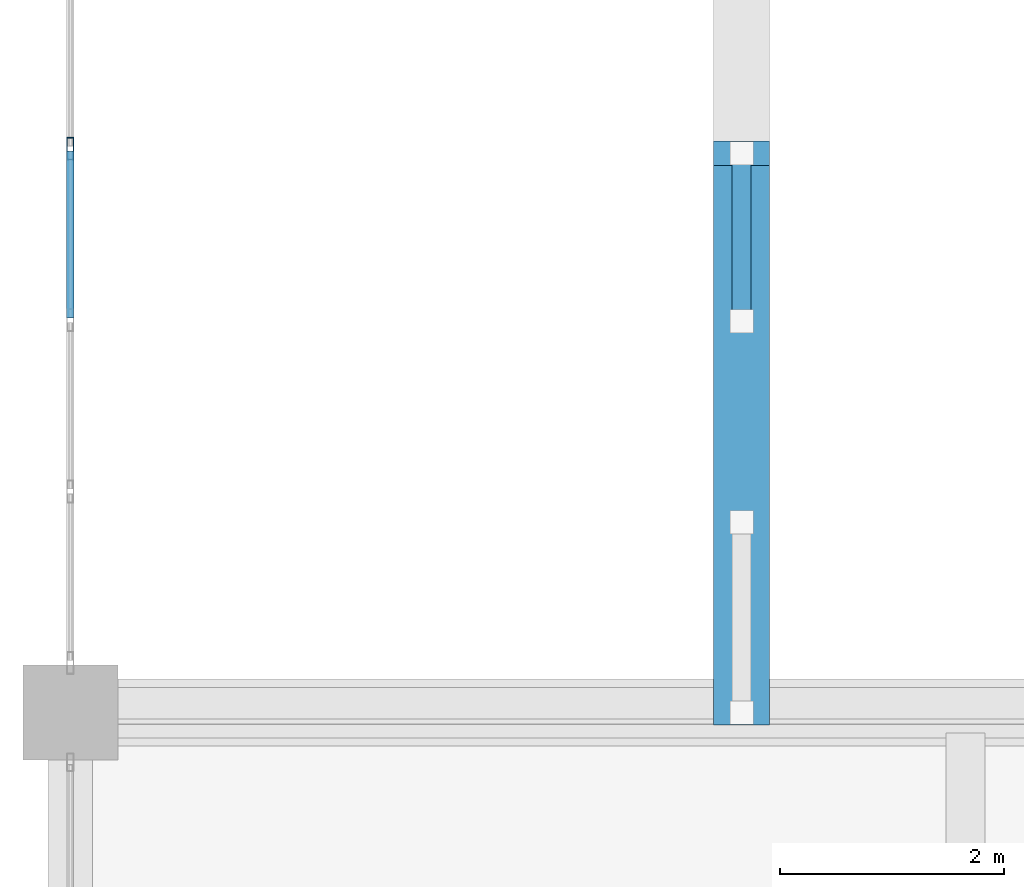
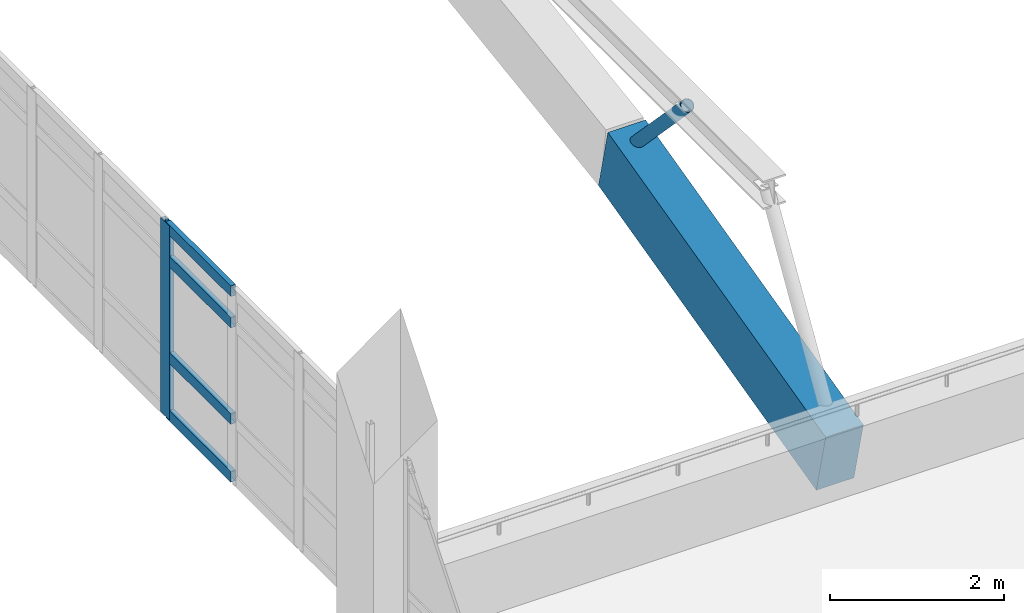
# One storey, part 11 of 161: 6 members, 1 beam, 1 element without a shape of its own.
"""IFC4 building model written with IfcOpenShell, lengths in metres."""

from ifc_helpers import new_model, si_unit, direction, frame, origin, origin_2d, place, context, subcontext, project, spatial, rectangle, hollow_rectangle, hollow_circle, extrude, material, layer, layer_set, material_profile, profile_set, type_object, element, aggregate, save


model = new_model("IFC4")

# Units and contexts
model_context = context("Model", 3, precision=1e-05, world=origin(), true_north=direction((0.0, 1.0)))
body_context = subcontext(model_context, "Body", "Model", "MODEL_VIEW")
ifc_project = project(units=[si_unit("LENGTHUNIT", "METRE"), si_unit("AREAUNIT", "SQUARE_METRE"), si_unit("VOLUMEUNIT", "CUBIC_METRE"), si_unit("PLANEANGLEUNIT", "RADIAN"), si_unit("MASSUNIT", "GRAM", prefix="KILO")], contexts=[model_context])

# Site, building, storey
site_placement = place(None, origin())
site = spatial("IfcSite", under=ifc_project, at=site_placement, CompositionType="ELEMENT")
building_placement = place(site_placement, origin())
building = spatial("IfcBuilding", under=site, at=building_placement, Name="Mersad Railyard Sports Hall", CompositionType="ELEMENT")
storey_placement = place(building_placement, frame((0.0, 0.0, 4.800048828125)))
storey = spatial("IfcBuildingStorey", under=building, at=storey_placement, Name="L01", CompositionType="ELEMENT", Elevation=4.800048828125)

# Curtain wall, members
ifc_material_1 = material(Name="Aluminium 6063-T6", Category="aluminium")
ifc_layer = layer(ifc_material_1, 0.199951171875)
ifc_layer_set = layer_set([ifc_layer], Name="Aluminium 6063-T6")
curtain_wall_type = type_object("IfcCurtainWallType", Name="ARC-CW-CW04", PredefinedType="USERDEFINED", material=ifc_layer_set)
curtain_wall_placement = place(storey_placement, origin())
curtain_wall = element("IfcCurtainWall", 1, at=curtain_wall_placement, inside=storey, type_object=curtain_wall_type, Name="Curtain wall CW04-0024", ObjectType="CURTAIN WALL", PredefinedType="USERDEFINED")
ifc_material_profile_1 = material_profile(ifc_material_1, hollow_rectangle(XDim=0.06494140625, YDim=0.199951171875, WallThickness=0.0048828125, at=origin_2d()), Name="AL MULLION 65x200x5")
ifc_profile_set_1 = profile_set([ifc_material_profile_1], Name="Aluminium 6063-T6")
member_type_1 = type_object("IfcMemberType", Name="ARC-CW-MUL02", PredefinedType="MULLION", material=ifc_profile_set_1)
member_1_placement = place(storey_placement, frame((7.0, 18.541259765625, -0.02001953125), z_axis=(0.0, 0.0, 1.0), x_axis=(1.0, 0.0, 0.0)))
member_1 = element("IfcMember", 2, at=member_1_placement, type_object=member_type_1, Name="CW04 Mullion 4", PredefinedType="MULLION", context=body_context, shape_type="SweptSolid", body=[
    extrude(hollow_rectangle(XDim=0.06494140625, YDim=0.199951171875, WallThickness=0.0048828125, at=origin_2d()), origin(), (0.0, 0.0, 1.0), 2.719970703125),
])
ifc_material_profile_2 = material_profile(ifc_material_1, hollow_rectangle(XDim=0.06494140625, YDim=0.14990234375, WallThickness=0.00439453125, at=origin_2d()), Name="AL TRANSOM 65x150x4.5")
ifc_profile_set_2 = profile_set([ifc_material_profile_2], Name="Aluminium 6063-T6")
member_type_2 = type_object("IfcMemberType", Name="ARC-CW-TRN02", PredefinedType="USERDEFINED", material=ifc_profile_set_2)
member_2_placement = place(storey_placement, frame((7.0, 17.029296875, 0.0400390625), z_axis=(0.0, 1.0, 0.0), x_axis=(-1.0, 0.0, 0.0)))
member_2 = element("IfcMember", 3, at=member_2_placement, type_object=member_type_2, Name="CW04 Transom 1-3", ObjectType="TRANSOM", PredefinedType="USERDEFINED", context=body_context, shape_type="SweptSolid", body=[
    extrude(hollow_rectangle(XDim=0.06494140625, YDim=0.14990234375, WallThickness=0.00439453125, at=origin_2d()), origin(), (0.0, 0.0, 1.0), 1.491943359375),
])
member_3_placement = place(storey_placement, frame((7.0, 17.029296875, 0.849853515625), z_axis=(0.0, 1.0, 0.0), x_axis=(-1.0, 0.0, 0.0)))
member_3 = element("IfcMember", 4, at=member_3_placement, type_object=member_type_2, Name="CW04 Transom 2-3", ObjectType="TRANSOM", PredefinedType="USERDEFINED", context=body_context, shape_type="SweptSolid", body=[
    extrude(hollow_rectangle(XDim=0.06494140625, YDim=0.14990234375, WallThickness=0.00439453125, at=origin_2d()), origin(), (0.0, 0.0, 1.0), 1.491943359375),
])
member_4_placement = place(storey_placement, frame((7.0, 17.029296875, 2.199951171875), z_axis=(0.0, 1.0, 0.0), x_axis=(-1.0, 0.0, 0.0)))
member_4 = element("IfcMember", 5, at=member_4_placement, type_object=member_type_2, Name="CW04 Transom 3-3", ObjectType="TRANSOM", PredefinedType="USERDEFINED", context=body_context, shape_type="SweptSolid", body=[
    extrude(hollow_rectangle(XDim=0.06494140625, YDim=0.14990234375, WallThickness=0.00439453125, at=origin_2d()), origin(), (0.0, 0.0, 1.0), 1.491943359375),
])
member_5_placement = place(storey_placement, frame((7.0, 17.029296875, 2.639892578125), z_axis=(0.0, 1.0, 0.0), x_axis=(-1.0, 0.0, 0.0)))
member_5 = element("IfcMember", 6, at=member_5_placement, type_object=member_type_2, Name="CW04 Transom 4-3", ObjectType="TRANSOM", PredefinedType="USERDEFINED", context=body_context, shape_type="SweptSolid", body=[
    extrude(hollow_rectangle(XDim=0.06494140625, YDim=0.14990234375, WallThickness=0.00439453125, at=origin_2d()), origin(), (0.0, 0.0, 1.0), 1.491943359375),
])
aggregate(curtain_wall, [member_1, member_2, member_3, member_4, member_5])

# Beam
ifc_material_2 = material(Name="Architectural concrete C50/60", Category="concrete")
ifc_material_profile_3 = material_profile(ifc_material_2, rectangle(XDim=0.5, YDim=0.89990234375, at=origin_2d()), Name="VR 500x900")
ifc_profile_set_3 = profile_set([ifc_material_profile_3], Name="Architectural concrete C50/60")
beam_type = type_object("IfcBeamType", Name="STR-BM-VR02", PredefinedType="BEAM", material=ifc_profile_set_3)
beam_placement = place(storey_placement, frame((13.0, 13.5, 0.339599609375), z_axis=(0.0, 0.970609045837, 0.240661754627), x_axis=(-1.0, 0.0, 0.0)))
element("IfcBeam", 7, at=beam_placement, inside=storey, type_object=beam_type, Name="Beam VR02-0506", PredefinedType="BEAM", context=body_context, shape_type="SweptSolid", body=[
    extrude(rectangle(XDim=0.5, YDim=0.89990234375, at=origin_2d()), origin(), (0.0, 0.0, 1.0), 5.1513671875),
])

# Member
ifc_material_3 = material(Name="Steel S355", Category="steel")
ifc_material_profile_4 = material_profile(ifc_material_3, hollow_circle(Radius=0.084228515625, WallThickness=0.008056640625, at=origin_2d()), Name="CHS 168.3x8")
ifc_profile_set_4 = profile_set([ifc_material_profile_4], Name="Steel S355")
member_type_3 = type_object("IfcMemberType", Name="STR-MEM-BR03", PredefinedType="BRACE", material=ifc_profile_set_4)
member_6_placement = place(storey_placement, frame((13.0, 18.5, 1.579345703125), z_axis=(0.0, -0.690676243766, 0.723164107446), x_axis=(1.0, 0.0, 0.0)))
element("IfcMember", 8, at=member_6_placement, inside=storey, type_object=member_type_3, Name="Structural member BR03-0061", PredefinedType="BRACE", context=body_context, shape_type="SweptSolid", body=[
    extrude(hollow_circle(Radius=0.084228515625, WallThickness=0.008056640625, at=origin_2d()), origin(), (0.0, 0.0, 1.0), 2.171875),
])

save(model, "model.ifc")
